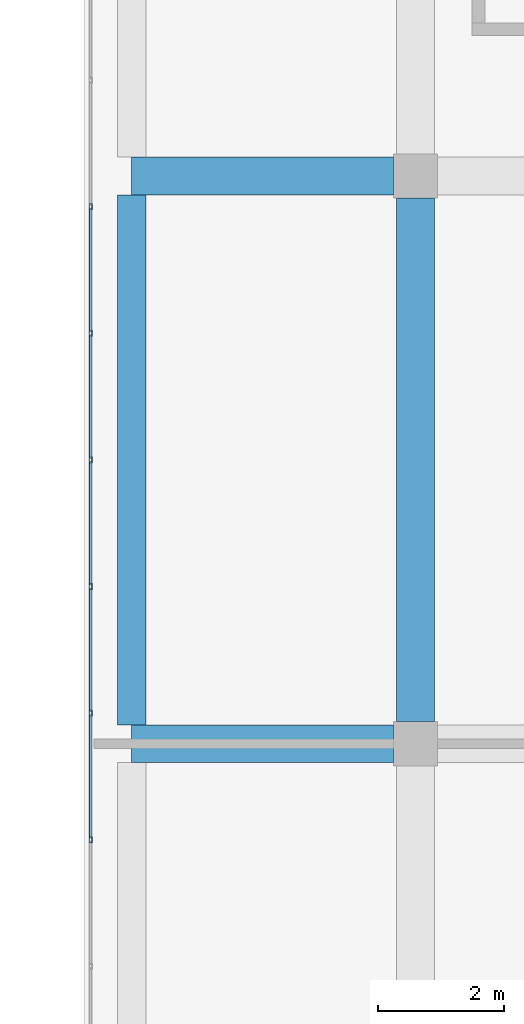
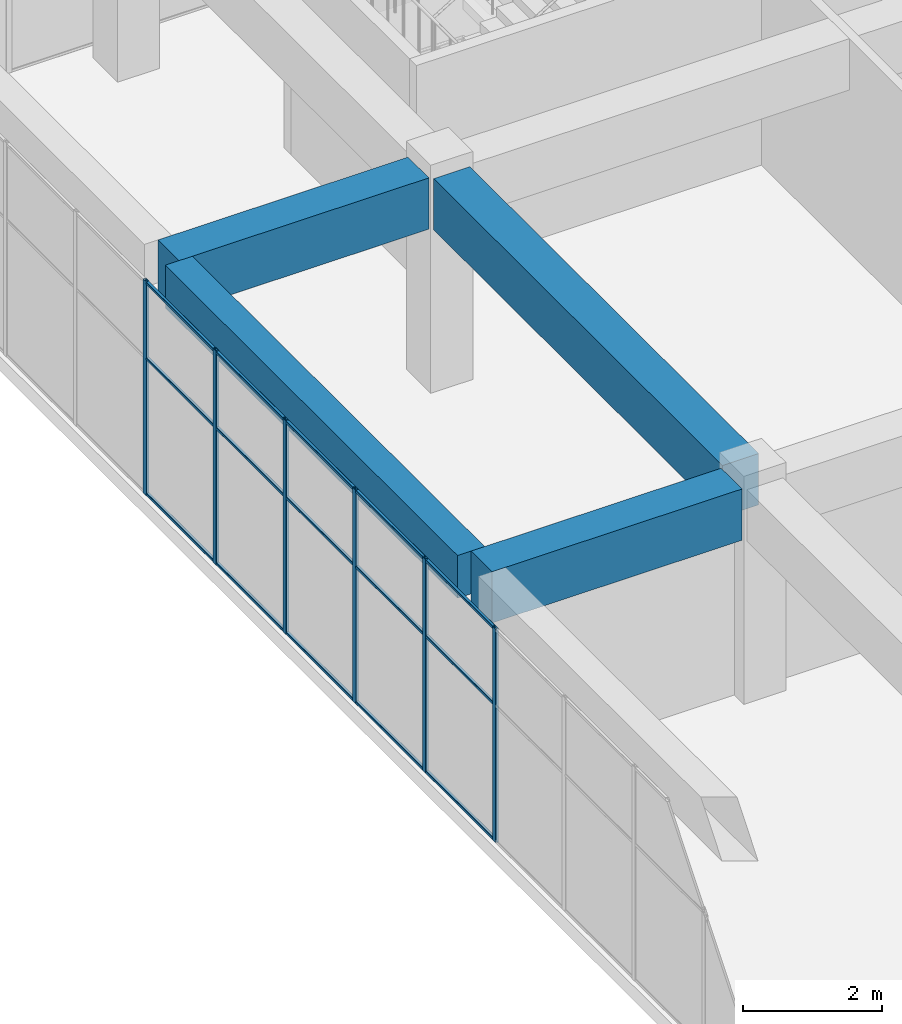
# One storey, part 15 of 43: 21 members, 4 beams, 1 element without a shape of its own.
"""IFC4 building model written with IfcOpenShell, lengths in metres."""

from ifc_helpers import new_model, si_unit, direction, frame, origin, origin_2d, place, context, subcontext, project, spatial, rectangle, hollow_rectangle, extrude, material, layer, layer_set, material_profile, profile_set, type_object, element, aggregate, save


model = new_model("IFC4")

# Units and contexts
model_context = context("Model", 3, precision=1e-05, world=origin(), true_north=direction((0.0, 1.0)))
body_context = subcontext(model_context, "Body", "Model", "MODEL_VIEW")
ifc_project = project(units=[si_unit("LENGTHUNIT", "METRE"), si_unit("AREAUNIT", "SQUARE_METRE"), si_unit("VOLUMEUNIT", "CUBIC_METRE"), si_unit("PLANEANGLEUNIT", "RADIAN"), si_unit("MASSUNIT", "GRAM", prefix="KILO")], contexts=[model_context])

# Site, building, storey
site_placement = place(None, origin())
site = spatial("IfcSite", under=ifc_project, at=site_placement, CompositionType="ELEMENT")
building_placement = place(site_placement, origin())
building = spatial("IfcBuilding", under=site, at=building_placement, Name="Tuart Plaza Theatre", CompositionType="ELEMENT")
storey_placement = place(building_placement, frame((0.0, 0.0, 33.5)))
storey = spatial("IfcBuildingStorey", under=building, at=storey_placement, Name="L08", CompositionType="ELEMENT", Elevation=33.5)

# Beams
ifc_material_1 = material(Name="Concrete N40 (40 MPa)", Category="concrete")
ifc_material_profile_1 = material_profile(ifc_material_1, rectangle(XDim=0.449951171875, YDim=0.75, at=origin_2d()), Name="BEAM 450x750 Concrete N40 (40 MPa)")
ifc_profile_set_1 = profile_set([ifc_material_profile_1], Name="Concrete N40 (40 MPa)")
beam_type_1 = type_object("IfcBeamType", Name="BEAM 450x750 Concrete N40 (40 MPa)", PredefinedType="BEAM", material=ifc_profile_set_1)
beam_1_placement = place(storey_placement, frame((109.5, 74.300048828125, 3.375), z_axis=(0.0, 1.0, 0.0), x_axis=(-1.0, 0.0, 0.0)))
element("IfcBeam", 1, at=beam_1_placement, inside=storey, type_object=beam_type_1, Name="RB250", PredefinedType="BEAM", context=body_context, shape_type="SweptSolid", body=[
    extrude(rectangle(XDim=0.449951171875, YDim=0.75, at=origin_2d()), origin(), (0.0, 0.0, 1.0), 8.39990234375),
])
ifc_material_2 = material(Name="Concrete N40 (40 MPa)", Category="concrete")
ifc_material_profile_2 = material_profile(ifc_material_2, rectangle(XDim=0.60009765625, YDim=0.89990234375, at=origin_2d()), Name="BEAM 600x900 Concrete N40 (40 MPa)")
ifc_profile_set_2 = profile_set([ifc_material_profile_2], Name="Concrete N40 (40 MPa)")
beam_type_2 = type_object("IfcBeamType", Name="BEAM 600x900 Concrete N40 (40 MPa)", PredefinedType="BEAM", material=ifc_profile_set_2)
for number, where, z_axis, x_axis, name in (
    (2, (109.5, 74.0, 3.300048828125), (1.0, 0.0, 0.0), (0.0, 1.0, 0.0), "RB251"),
    (3, (109.5, 83.0, 3.300048828125), (1.0, 0.0, 0.0), (0.0, 1.0, 0.0), "RB253"),
):
    element("IfcBeam", number, at=place(storey_placement, frame(where, z_axis=z_axis, x_axis=x_axis)), inside=storey, type_object=beam_type_2, Name=name, PredefinedType="BEAM", context=body_context, shape_type="SweptSolid", body=[
        extrude(rectangle(XDim=0.60009765625, YDim=0.89990234375, at=origin_2d()), origin(), (0.0, 0.0, 1.0), 4.14990234375),
    ])
beam_2_placement = place(storey_placement, frame((114.0, 74.35009765625, 3.300048828125), z_axis=(0.0, 1.0, 0.0), x_axis=(-1.0, 0.0, 0.0)))
element("IfcBeam", 4, at=beam_2_placement, inside=storey, type_object=beam_type_2, Name="RB259", PredefinedType="BEAM", context=body_context, shape_type="SweptSolid", body=[
    extrude(rectangle(XDim=0.60009765625, YDim=0.89990234375, at=origin_2d()), origin(), (0.0, 0.0, 1.0), 8.2998046875),
])

# Curtain wall, members
ifc_material_3 = material(Name="Aluminium and glass", Category="aluminium")
ifc_layer = layer(ifc_material_3, 0.10009765625)
ifc_layer_set = layer_set([ifc_layer], Name="CURTAIN WALL 2000 module")
curtain_wall_type = type_object("IfcCurtainWallType", Name="CURTAIN WALL 2000 module", PredefinedType="NOTDEFINED", material=ifc_layer_set)
curtain_wall_placement = place(storey_placement, origin())
curtain_wall = element("IfcCurtainWall", 5, at=curtain_wall_placement, inside=storey, type_object=curtain_wall_type, Name="CW97", PredefinedType="NOTDEFINED")
ifc_material_4 = material(Name="Aluminium 6063-T5", Category="aluminium")
ifc_material_profile_3 = material_profile(ifc_material_4, hollow_rectangle(XDim=0.050048828125, YDim=0.10009765625, WallThickness=0.00390625, InnerFilletRadius=0.00390625, OuterFilletRadius=0.008056640625, at=origin_2d()), Name="RHS 100x50x4")
ifc_profile_set_3 = profile_set([ifc_material_profile_3], Name="Aluminium 6063-T5")
member_type_1 = type_object("IfcMemberType", Name="MULLION RHS 100x50x4", PredefinedType="MULLION", material=ifc_profile_set_3)
member_1_placement = place(storey_placement, frame((108.85009765625, 82.514404296875, 0.0), z_axis=(0.0, 0.0, 1.0), x_axis=(1.0, 0.0, 0.0)))
member_1 = element("IfcMember", 6, at=member_1_placement, type_object=member_type_1, Name="CW97 mullion 6", PredefinedType="MULLION", context=body_context, shape_type="SweptSolid", body=[
    extrude(hollow_rectangle(XDim=0.050048828125, YDim=0.10009765625, WallThickness=0.00390625, InnerFilletRadius=0.00390625, OuterFilletRadius=0.008056640625, at=origin_2d()), origin(), (0.0, 0.0, 1.0), 3.75),
])
member_2_placement = place(storey_placement, frame((108.85009765625, 80.507080078125, 0.0), z_axis=(0.0, 0.0, 1.0), x_axis=(1.0, 0.0, 0.0)))
member_2 = element("IfcMember", 7, at=member_2_placement, type_object=member_type_1, Name="CW97 mullion 7", PredefinedType="MULLION", context=body_context, shape_type="SweptSolid", body=[
    extrude(hollow_rectangle(XDim=0.050048828125, YDim=0.10009765625, WallThickness=0.00390625, InnerFilletRadius=0.00390625, OuterFilletRadius=0.008056640625, at=origin_2d()), origin(), (0.0, 0.0, 1.0), 3.75),
])
member_3_placement = place(storey_placement, frame((108.85009765625, 78.5, 0.0), z_axis=(0.0, 0.0, 1.0), x_axis=(1.0, 0.0, 0.0)))
member_3 = element("IfcMember", 8, at=member_3_placement, type_object=member_type_1, Name="CW97 mullion 8", PredefinedType="MULLION", context=body_context, shape_type="SweptSolid", body=[
    extrude(hollow_rectangle(XDim=0.050048828125, YDim=0.10009765625, WallThickness=0.00390625, InnerFilletRadius=0.00390625, OuterFilletRadius=0.008056640625, at=origin_2d()), origin(), (0.0, 0.0, 1.0), 3.75),
])
member_4_placement = place(storey_placement, frame((108.85009765625, 76.492919921875, 0.0), z_axis=(0.0, 0.0, 1.0), x_axis=(1.0, 0.0, 0.0)))
member_4 = element("IfcMember", 9, at=member_4_placement, type_object=member_type_1, Name="CW97 mullion 9", PredefinedType="MULLION", context=body_context, shape_type="SweptSolid", body=[
    extrude(hollow_rectangle(XDim=0.050048828125, YDim=0.10009765625, WallThickness=0.00390625, InnerFilletRadius=0.00390625, OuterFilletRadius=0.008056640625, at=origin_2d()), origin(), (0.0, 0.0, 1.0), 3.75),
])
member_5_placement = place(storey_placement, frame((108.85009765625, 74.485595703125, 0.0), z_axis=(0.0, 0.0, 1.0), x_axis=(1.0, 0.0, 0.0)))
member_5 = element("IfcMember", 10, at=member_5_placement, type_object=member_type_1, Name="CW97 mullion 10", PredefinedType="MULLION", context=body_context, shape_type="SweptSolid", body=[
    extrude(hollow_rectangle(XDim=0.050048828125, YDim=0.10009765625, WallThickness=0.00390625, InnerFilletRadius=0.00390625, OuterFilletRadius=0.008056640625, at=origin_2d()), origin(), (0.0, 0.0, 1.0), 3.75),
])
member_6_placement = place(storey_placement, frame((108.85009765625, 72.478515625, 0.0), z_axis=(0.0, 0.0, 1.0), x_axis=(1.0, 0.0, 0.0)))
member_6 = element("IfcMember", 11, at=member_6_placement, type_object=member_type_1, Name="CW97 mullion 11", PredefinedType="MULLION", context=body_context, shape_type="SweptSolid", body=[
    extrude(hollow_rectangle(XDim=0.050048828125, YDim=0.10009765625, WallThickness=0.00390625, InnerFilletRadius=0.00390625, OuterFilletRadius=0.008056640625, at=origin_2d()), origin(), (0.0, 0.0, 1.0), 3.75),
])
ifc_material_5 = material(Name="Aluminium 6063-T5", Category="aluminium")
ifc_material_profile_4 = material_profile(ifc_material_5, hollow_rectangle(XDim=0.050048828125, YDim=0.050048828125, WallThickness=0.00390625, InnerFilletRadius=0.00390625, OuterFilletRadius=0.008056640625, at=origin_2d()), Name="RHS 50x50x4")
ifc_profile_set_4 = profile_set([ifc_material_profile_4], Name="Aluminium 6063-T5")
member_type_2 = type_object("IfcMemberType", Name="TRANSOM RHS 50x50x4", PredefinedType="USERDEFINED", material=ifc_profile_set_4)
member_7_placement = place(storey_placement, frame((108.85009765625, 82.4892578125, 0.02490234375), z_axis=(0.0, -1.0, 0.0), x_axis=(1.0, 0.0, 0.0)))
member_7 = element("IfcMember", 12, at=member_7_placement, type_object=member_type_2, Name="CW97 transom 6.1", ObjectType="TRANSOM", PredefinedType="USERDEFINED", context=body_context, shape_type="SweptSolid", body=[
    extrude(hollow_rectangle(XDim=0.050048828125, YDim=0.050048828125, WallThickness=0.00390625, InnerFilletRadius=0.00390625, OuterFilletRadius=0.008056640625, at=origin_2d()), origin(), (0.0, 0.0, 1.0), 1.95703125),
])
member_8_placement = place(storey_placement, frame((108.85009765625, 82.4892578125, 2.39990234375), z_axis=(0.0, -1.0, 0.0), x_axis=(1.0, 0.0, 0.0)))
member_8 = element("IfcMember", 13, at=member_8_placement, type_object=member_type_2, Name="CW97 transom 6.2", ObjectType="TRANSOM", PredefinedType="USERDEFINED", context=body_context, shape_type="SweptSolid", body=[
    extrude(hollow_rectangle(XDim=0.050048828125, YDim=0.050048828125, WallThickness=0.00390625, InnerFilletRadius=0.00390625, OuterFilletRadius=0.008056640625, at=origin_2d()), origin(), (0.0, 0.0, 1.0), 1.95703125),
])
member_9_placement = place(storey_placement, frame((108.85009765625, 82.4892578125, 3.72509765625), z_axis=(0.0, -1.0, 0.0), x_axis=(1.0, 0.0, 0.0)))
member_9 = element("IfcMember", 14, at=member_9_placement, type_object=member_type_2, Name="CW97 transom 6.3", ObjectType="TRANSOM", PredefinedType="USERDEFINED", context=body_context, shape_type="SweptSolid", body=[
    extrude(hollow_rectangle(XDim=0.050048828125, YDim=0.050048828125, WallThickness=0.00390625, InnerFilletRadius=0.00390625, OuterFilletRadius=0.008056640625, at=origin_2d()), origin(), (0.0, 0.0, 1.0), 1.95703125),
])
member_10_placement = place(storey_placement, frame((108.85009765625, 80.482177734375, 0.02490234375), z_axis=(0.0, -1.0, 0.0), x_axis=(1.0, 0.0, 0.0)))
member_10 = element("IfcMember", 15, at=member_10_placement, type_object=member_type_2, Name="CW97 transom 7.1", ObjectType="TRANSOM", PredefinedType="USERDEFINED", context=body_context, shape_type="SweptSolid", body=[
    extrude(hollow_rectangle(XDim=0.050048828125, YDim=0.050048828125, WallThickness=0.00390625, InnerFilletRadius=0.00390625, OuterFilletRadius=0.008056640625, at=origin_2d()), origin(), (0.0, 0.0, 1.0), 1.957275390625),
])
member_11_placement = place(storey_placement, frame((108.85009765625, 80.482177734375, 2.39990234375), z_axis=(0.0, -1.0, 0.0), x_axis=(1.0, 0.0, 0.0)))
member_11 = element("IfcMember", 16, at=member_11_placement, type_object=member_type_2, Name="CW97 transom 7.2", ObjectType="TRANSOM", PredefinedType="USERDEFINED", context=body_context, shape_type="SweptSolid", body=[
    extrude(hollow_rectangle(XDim=0.050048828125, YDim=0.050048828125, WallThickness=0.00390625, InnerFilletRadius=0.00390625, OuterFilletRadius=0.008056640625, at=origin_2d()), origin(), (0.0, 0.0, 1.0), 1.957275390625),
])
member_12_placement = place(storey_placement, frame((108.85009765625, 80.482177734375, 3.72509765625), z_axis=(0.0, -1.0, 0.0), x_axis=(1.0, 0.0, 0.0)))
member_12 = element("IfcMember", 17, at=member_12_placement, type_object=member_type_2, Name="CW97 transom 7.3", ObjectType="TRANSOM", PredefinedType="USERDEFINED", context=body_context, shape_type="SweptSolid", body=[
    extrude(hollow_rectangle(XDim=0.050048828125, YDim=0.050048828125, WallThickness=0.00390625, InnerFilletRadius=0.00390625, OuterFilletRadius=0.008056640625, at=origin_2d()), origin(), (0.0, 0.0, 1.0), 1.957275390625),
])
member_13_placement = place(storey_placement, frame((108.85009765625, 78.47509765625, 0.02490234375), z_axis=(0.0, -1.0, 0.0), x_axis=(1.0, 0.0, 0.0)))
member_13 = element("IfcMember", 18, at=member_13_placement, type_object=member_type_2, Name="CW97 transom 8.1", ObjectType="TRANSOM", PredefinedType="USERDEFINED", context=body_context, shape_type="SweptSolid", body=[
    extrude(hollow_rectangle(XDim=0.050048828125, YDim=0.050048828125, WallThickness=0.00390625, InnerFilletRadius=0.00390625, OuterFilletRadius=0.008056640625, at=origin_2d()), origin(), (0.0, 0.0, 1.0), 1.957275390625),
])
member_14_placement = place(storey_placement, frame((108.85009765625, 78.47509765625, 2.39990234375), z_axis=(0.0, -1.0, 0.0), x_axis=(1.0, 0.0, 0.0)))
member_14 = element("IfcMember", 19, at=member_14_placement, type_object=member_type_2, Name="CW97 transom 8.2", ObjectType="TRANSOM", PredefinedType="USERDEFINED", context=body_context, shape_type="SweptSolid", body=[
    extrude(hollow_rectangle(XDim=0.050048828125, YDim=0.050048828125, WallThickness=0.00390625, InnerFilletRadius=0.00390625, OuterFilletRadius=0.008056640625, at=origin_2d()), origin(), (0.0, 0.0, 1.0), 1.957275390625),
])
member_15_placement = place(storey_placement, frame((108.85009765625, 78.47509765625, 3.72509765625), z_axis=(0.0, -1.0, 0.0), x_axis=(1.0, 0.0, 0.0)))
member_15 = element("IfcMember", 20, at=member_15_placement, type_object=member_type_2, Name="CW97 transom 8.3", ObjectType="TRANSOM", PredefinedType="USERDEFINED", context=body_context, shape_type="SweptSolid", body=[
    extrude(hollow_rectangle(XDim=0.050048828125, YDim=0.050048828125, WallThickness=0.00390625, InnerFilletRadius=0.00390625, OuterFilletRadius=0.008056640625, at=origin_2d()), origin(), (0.0, 0.0, 1.0), 1.957275390625),
])
member_16_placement = place(storey_placement, frame((108.85009765625, 76.4677734375, 0.02490234375), z_axis=(0.0, -1.0, 0.0), x_axis=(1.0, 0.0, 0.0)))
member_16 = element("IfcMember", 21, at=member_16_placement, type_object=member_type_2, Name="CW97 transom 9.1", ObjectType="TRANSOM", PredefinedType="USERDEFINED", context=body_context, shape_type="SweptSolid", body=[
    extrude(hollow_rectangle(XDim=0.050048828125, YDim=0.050048828125, WallThickness=0.00390625, InnerFilletRadius=0.00390625, OuterFilletRadius=0.008056640625, at=origin_2d()), origin(), (0.0, 0.0, 1.0), 1.95703125),
])
member_17_placement = place(storey_placement, frame((108.85009765625, 76.4677734375, 2.39990234375), z_axis=(0.0, -1.0, 0.0), x_axis=(1.0, 0.0, 0.0)))
member_17 = element("IfcMember", 22, at=member_17_placement, type_object=member_type_2, Name="CW97 transom 9.2", ObjectType="TRANSOM", PredefinedType="USERDEFINED", context=body_context, shape_type="SweptSolid", body=[
    extrude(hollow_rectangle(XDim=0.050048828125, YDim=0.050048828125, WallThickness=0.00390625, InnerFilletRadius=0.00390625, OuterFilletRadius=0.008056640625, at=origin_2d()), origin(), (0.0, 0.0, 1.0), 1.95703125),
])
member_18_placement = place(storey_placement, frame((108.85009765625, 76.4677734375, 3.72509765625), z_axis=(0.0, -1.0, 0.0), x_axis=(1.0, 0.0, 0.0)))
member_18 = element("IfcMember", 23, at=member_18_placement, type_object=member_type_2, Name="CW97 transom 9.3", ObjectType="TRANSOM", PredefinedType="USERDEFINED", context=body_context, shape_type="SweptSolid", body=[
    extrude(hollow_rectangle(XDim=0.050048828125, YDim=0.050048828125, WallThickness=0.00390625, InnerFilletRadius=0.00390625, OuterFilletRadius=0.008056640625, at=origin_2d()), origin(), (0.0, 0.0, 1.0), 1.95703125),
])
member_19_placement = place(storey_placement, frame((108.85009765625, 74.460693359375, 0.02490234375), z_axis=(0.0, -1.0, 0.0), x_axis=(1.0, 0.0, 0.0)))
member_19 = element("IfcMember", 24, at=member_19_placement, type_object=member_type_2, Name="CW97 transom 10.1", ObjectType="TRANSOM", PredefinedType="USERDEFINED", context=body_context, shape_type="SweptSolid", body=[
    extrude(hollow_rectangle(XDim=0.050048828125, YDim=0.050048828125, WallThickness=0.00390625, InnerFilletRadius=0.00390625, OuterFilletRadius=0.008056640625, at=origin_2d()), origin(), (0.0, 0.0, 1.0), 1.95703125),
])
member_20_placement = place(storey_placement, frame((108.85009765625, 74.460693359375, 2.39990234375), z_axis=(0.0, -1.0, 0.0), x_axis=(1.0, 0.0, 0.0)))
member_20 = element("IfcMember", 25, at=member_20_placement, type_object=member_type_2, Name="CW97 transom 10.2", ObjectType="TRANSOM", PredefinedType="USERDEFINED", context=body_context, shape_type="SweptSolid", body=[
    extrude(hollow_rectangle(XDim=0.050048828125, YDim=0.050048828125, WallThickness=0.00390625, InnerFilletRadius=0.00390625, OuterFilletRadius=0.008056640625, at=origin_2d()), origin(), (0.0, 0.0, 1.0), 1.95703125),
])
member_21_placement = place(storey_placement, frame((108.85009765625, 74.460693359375, 3.72509765625), z_axis=(0.0, -1.0, 0.0), x_axis=(1.0, 0.0, 0.0)))
member_21 = element("IfcMember", 26, at=member_21_placement, type_object=member_type_2, Name="CW97 transom 10.3", ObjectType="TRANSOM", PredefinedType="USERDEFINED", context=body_context, shape_type="SweptSolid", body=[
    extrude(hollow_rectangle(XDim=0.050048828125, YDim=0.050048828125, WallThickness=0.00390625, InnerFilletRadius=0.00390625, OuterFilletRadius=0.008056640625, at=origin_2d()), origin(), (0.0, 0.0, 1.0), 1.95703125),
])
aggregate(curtain_wall, [member_1, member_2, member_3, member_4, member_5, member_6, member_7, member_8, member_9, member_10, member_11, member_12, member_13, member_14, member_15, member_16, member_17, member_18, member_19, member_20, member_21])

save(model, "model.ifc")
